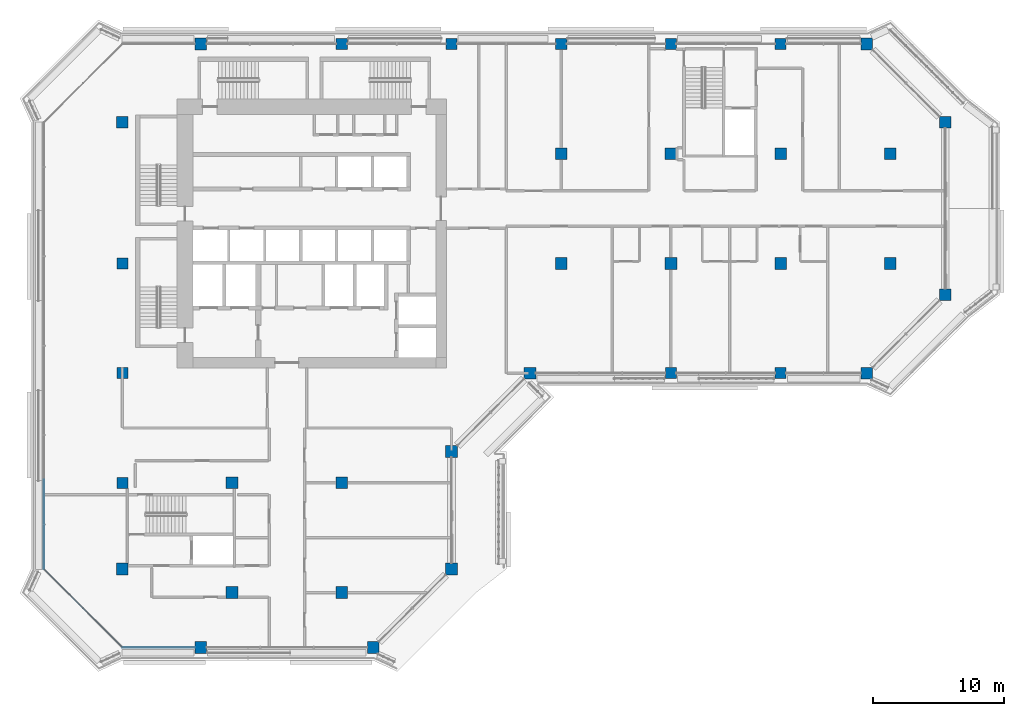
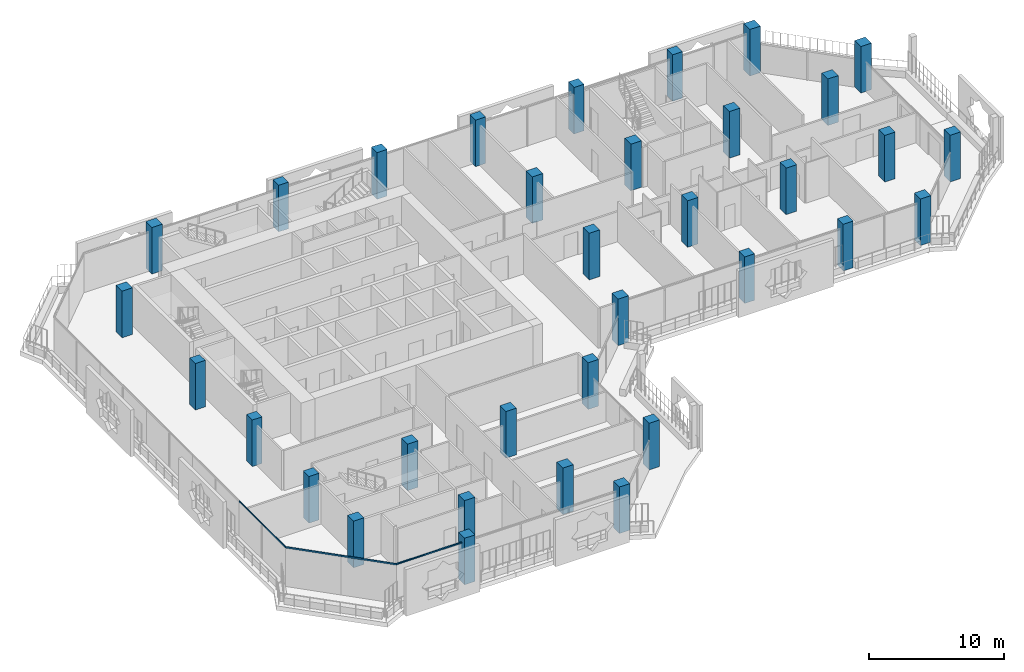
# One storey, part 1 of 22: 34 columns, 4 members, 3 elements without a shape of their own.
"""IFC4 building model written with IfcOpenShell, lengths in metres."""

from ifc_helpers import new_model, si_unit, direction, frame, origin, origin_2d, place, context, subcontext, project, spatial, rectangle, extrude, material, layer, layer_set, material_profile, profile_set, type_object, element, aggregate, save


model = new_model("IFC4")

# Units and contexts
model_context = context("Model", 3, precision=1e-05, world=origin(), true_north=direction((0.0, 1.0)))
body_context = subcontext(model_context, "Body", "Model", "MODEL_VIEW")
ifc_project = project(units=[si_unit("LENGTHUNIT", "METRE"), si_unit("AREAUNIT", "SQUARE_METRE"), si_unit("VOLUMEUNIT", "CUBIC_METRE"), si_unit("PLANEANGLEUNIT", "RADIAN"), si_unit("MASSUNIT", "GRAM", prefix="KILO")], contexts=[model_context])

# Site, building, storey
site_placement = place(None, origin())
site = spatial("IfcSite", under=ifc_project, at=site_placement, CompositionType="ELEMENT")
building_placement = place(site_placement, origin())
building = spatial("IfcBuilding", under=site, at=building_placement, Name="Kawkab Arch Medical Tower", CompositionType="ELEMENT")
storey_placement = place(building_placement, frame((0.0, 0.0, 255.800048828125)))
storey = spatial("IfcBuildingStorey", under=building, at=storey_placement, Name="L59", CompositionType="ELEMENT", Elevation=255.800048828125)

# Columns
ifc_material_1 = material(Name="Concrete C45/55", Category="concrete")
ifc_material_profile_1 = material_profile(ifc_material_1, rectangle(XDim=0.85009765625, YDim=0.85009765625, at=origin_2d()), Name="RC 850x850")
ifc_profile_set_1 = profile_set([ifc_material_profile_1], Name="Concrete C45/55")
column_type_1 = type_object("IfcColumnType", Name="RC 850x850 column C45/55", PredefinedType="COLUMN", material=ifc_profile_set_1)
for number, where, z_axis, x_axis, name in (
    (1, (16.800048828125, 0.0, 0.0), (0.0, 0.0, 1.0), (1.0, 0.0, 0.0), "Column RC 850x850"),
    (2, (25.199951171875, 0.0, 0.0), (0.0, 0.0, 1.0), (1.0, 0.0, 0.0), "Column RC 850x850"),
    (3, (33.60009765625, 0.0, 0.0), (0.0, 0.0, 1.0), (1.0, 0.0, 0.0), "Column RC 850x850"),
    (4, (42.0, 0.0, 0.0), (0.0, 0.0, 1.0), (1.0, 0.0, 0.0), "Column RC 850x850"),
    (5, (50.39990234375, 0.0, 0.0), (0.0, 0.0, 1.0), (1.0, 0.0, 0.0), "Column RC 850x850"),
    (6, (0.0, -16.800048828125, 0.0), (0.0, 0.0, 1.0), (1.0, 0.0, 0.0), "Column RC 850x850"),
    (7, (0.0, -25.199951171875, 0.0), (0.0, 0.0, 1.0), (1.0, 0.0, 0.0), "Column RC 850x850"),
    (8, (42.0, -25.199951171875, 0.0), (0.0, 0.0, 1.0), (1.0, 0.0, 0.0), "Column RC 850x850"),
    (9, (50.39990234375, -25.199951171875, 0.0), (0.0, 0.0, 1.0), (1.0, 0.0, 0.0), "Column RC 850x850"),
    (10, (0.0, -33.60009765625, 0.0), (0.0, 0.0, 1.0), (1.0, 0.0, 0.0), "Column RC 850x850"),
):
    element("IfcColumn", number, at=place(storey_placement, frame(where, z_axis=z_axis, x_axis=x_axis)), inside=storey, type_object=column_type_1, Name=name, PredefinedType="COLUMN", context=body_context, shape_type="SweptSolid", body=[
        extrude(rectangle(XDim=0.85009765625, YDim=0.85009765625, at=origin_2d()), origin(), (0.0, 0.0, 1.0), 4.199951171875),
    ])
ifc_material_2 = material(Name="Concrete C45/55", Category="concrete")
ifc_material_profile_2 = material_profile(ifc_material_2, rectangle(XDim=0.89990234375, YDim=0.89990234375, at=origin_2d()), Name="RC 900x900")
ifc_profile_set_2 = profile_set([ifc_material_profile_2], Name="Concrete C45/55")
column_type_2 = type_object("IfcColumnType", Name="RC 900x900 column C45/55", PredefinedType="COLUMN", material=ifc_profile_set_2)
for number, where, z_axis, x_axis, name in (
    (11, (6.0, 0.0, 0.0), (0.0, 0.0, 1.0), (1.0, 0.0, 0.0), "Column RC 900x900"),
    (12, (57.0, 0.0, 0.0), (0.0, 0.0, 1.0), (1.0, 0.0, 0.0), "Column RC 900x900"),
    (13, (0.0, -6.0, 0.0), (0.0, 0.0, 1.0), (1.0, 0.0, 0.0), "Column RC 900x900"),
    (14, (63.0, -6.0, 0.0), (0.0, 0.0, 1.0), (1.0, 0.0, 0.0), "Column RC 900x900"),
    (15, (33.60009765625, -8.39990234375, 0.0), (0.0, 0.0, 1.0), (1.0, 0.0, 0.0), "Column RC 900x900"),
    (16, (42.0, -8.39990234375, 0.0), (0.0, 0.0, 1.0), (1.0, 0.0, 0.0), "Column RC 900x900"),
    (17, (50.39990234375, -8.39990234375, 0.0), (0.0, 0.0, 1.0), (1.0, 0.0, 0.0), "Column RC 900x900"),
    (18, (58.800048828125, -8.39990234375, 0.0), (0.0, 0.0, 1.0), (1.0, 0.0, 0.0), "Column RC 900x900"),
    (19, (33.60009765625, -16.800048828125, 0.0), (0.0, 0.0, 1.0), (1.0, 0.0, 0.0), "Column RC 900x900"),
    (20, (42.0, -16.800048828125, 0.0), (0.0, 0.0, 1.0), (1.0, 0.0, 0.0), "Column RC 900x900"),
    (21, (50.39990234375, -16.800048828125, 0.0), (0.0, 0.0, 1.0), (1.0, 0.0, 0.0), "Column RC 900x900"),
    (22, (58.800048828125, -16.800048828125, 0.0), (0.0, 0.0, 1.0), (1.0, 0.0, 0.0), "Column RC 900x900"),
    (23, (63.0, -19.199951171875, 0.0), (0.0, 0.0, 1.0), (1.0, 0.0, 0.0), "Column RC 900x900"),
    (24, (31.199951171875, -25.199951171875, 0.0), (0.0, 0.0, 1.0), (1.0, 0.0, 0.0), "Column RC 900x900"),
    (25, (57.0, -25.199951171875, 0.0), (0.0, 0.0, 1.0), (1.0, 0.0, 0.0), "Column RC 900x900"),
    (26, (25.199951171875, -31.199951171875, 0.0), (0.0, 0.0, 1.0), (1.0, 0.0, 0.0), "Column RC 900x900"),
    (27, (8.39990234375, -33.60009765625, 0.0), (0.0, 0.0, 1.0), (1.0, 0.0, 0.0), "Column RC 900x900"),
    (28, (16.800048828125, -33.60009765625, 0.0), (0.0, 0.0, 1.0), (1.0, 0.0, 0.0), "Column RC 900x900"),
    (29, (0.0, -40.199951171875, 0.0), (0.0, 0.0, 1.0), (1.0, 0.0, 0.0), "Column RC 900x900"),
    (30, (25.199951171875, -40.199951171875, 0.0), (0.0, 0.0, 1.0), (1.0, 0.0, 0.0), "Column RC 900x900"),
    (31, (8.39990234375, -42.0, 0.0), (0.0, 0.0, 1.0), (1.0, 0.0, 0.0), "Column RC 900x900"),
    (32, (16.800048828125, -42.0, 0.0), (0.0, 0.0, 1.0), (1.0, 0.0, 0.0), "Column RC 900x900"),
    (33, (6.0, -46.199951171875, 0.0), (0.0, 0.0, 1.0), (1.0, 0.0, 0.0), "Column RC 900x900"),
    (34, (19.199951171875, -46.199951171875, 0.0), (0.0, 0.0, 1.0), (1.0, 0.0, 0.0), "Column RC 900x900"),
):
    element("IfcColumn", number, at=place(storey_placement, frame(where, z_axis=z_axis, x_axis=x_axis)), inside=storey, type_object=column_type_2, Name=name, PredefinedType="COLUMN", context=body_context, shape_type="SweptSolid", body=[
        extrude(rectangle(XDim=0.89990234375, YDim=0.89990234375, at=origin_2d()), origin(), (0.0, 0.0, 1.0), 4.199951171875),
    ])

# Curtain wall, member
ifc_material_3 = material(Name="Bronze anodised aluminium curtain wall frame", Category="aluminium")
ifc_layer_1 = layer(ifc_material_3, 0.159912109375)
ifc_layer_set_1 = layer_set([ifc_layer_1], Name="Bronze anodised aluminium curtain wall frame")
curtain_wall_type_1 = type_object("IfcCurtainWallType", Name="CW1 ward curtain wall", PredefinedType="NOTDEFINED", material=ifc_layer_set_1)
placement = place(storey_placement, origin())
curtain_wall_1 = element("IfcCurtainWall", 35, at=placement, inside=storey, type_object=curtain_wall_type_1, Name="CW1 Ward curtain wall R01", PredefinedType="NOTDEFINED")
ifc_material_4 = material(Name="Bronze anodised aluminium curtain wall frame", Category="aluminium")
ifc_material_profile_3 = material_profile(ifc_material_4, rectangle(XDim=0.06005859375, YDim=0.1201171875, at=origin_2d()), Name="AL 60x120")
ifc_profile_set_3 = profile_set([ifc_material_profile_3], Name="Bronze anodised aluminium curtain wall frame")
member_type_1 = type_object("IfcMemberType", Name="CW1 transom 120 x 60", PredefinedType="USERDEFINED", material=ifc_profile_set_3)
member_1_placement = place(storey_placement, frame((-6.0, -33.360107421875, 3.5400390625), z_axis=(0.0, -1.0, 0.0), x_axis=(1.0, 0.0, 0.0)))
member_1 = element("IfcMember", 36, at=member_1_placement, type_object=member_type_1, Name="CW1 transom 5", ObjectType="TRANSOM", PredefinedType="USERDEFINED", context=body_context, shape_type="SweptSolid", body=[
    extrude(rectangle(XDim=0.06005859375, YDim=0.1201171875, at=origin_2d()), origin(), (0.0, 0.0, 1.0), 6.83984375),
])
aggregate(curtain_wall_1, [member_1])

curtain_wall_2 = element("IfcCurtainWall", 37, at=placement, inside=storey, type_object=curtain_wall_type_1, Name="CW1 Ward curtain wall R03", PredefinedType="NOTDEFINED")
member_2_placement = place(storey_placement, frame((0.0, -46.199951171875, 3.5400390625), z_axis=(1.0, 0.0, 0.0), x_axis=(0.0, 1.0, 0.0)))
member_2 = element("IfcMember", 38, at=member_2_placement, type_object=member_type_1, Name="CW1 transom 1", ObjectType="TRANSOM", PredefinedType="USERDEFINED", context=body_context, shape_type="SweptSolid", body=[
    extrude(rectangle(XDim=0.06005859375, YDim=0.1201171875, at=origin_2d()), origin(), (0.0, 0.0, 1.0), 5.550048828125),
])
aggregate(curtain_wall_2, [member_2])

# Curtain wall, members
ifc_material_5 = material(Name="Bronze anodised aluminium curtain wall frame", Category="aluminium")
ifc_layer_2 = layer(ifc_material_5, 0.159912109375)
ifc_layer_set_2 = layer_set([ifc_layer_2], Name="Bronze anodised aluminium curtain wall frame")
curtain_wall_type_2 = type_object("IfcCurtainWallType", Name="CW2 chamfer curtain wall", PredefinedType="NOTDEFINED", material=ifc_layer_set_2)
curtain_wall_3 = element("IfcCurtainWall", 39, at=placement, inside=storey, type_object=curtain_wall_type_2, Name="CW2 Chamfer curtain wall R02", PredefinedType="NOTDEFINED")
ifc_material_6 = material(Name="Bronze anodised aluminium curtain wall frame", Category="aluminium")
ifc_material_profile_4 = material_profile(ifc_material_6, rectangle(XDim=0.06005859375, YDim=0.139892578125, at=origin_2d()), Name="AL 60x140")
ifc_profile_set_4 = profile_set([ifc_material_profile_4], Name="Bronze anodised aluminium curtain wall frame")
member_type_2 = type_object("IfcMemberType", Name="CW2 transom 140 x 60", PredefinedType="USERDEFINED", material=ifc_profile_set_4)
member_3_placement = place(storey_placement, frame((-6.0, -40.199951171875, 3.530029296875), z_axis=(0.707106781187, -0.707106781187, 0.0), x_axis=(0.707106781187, 0.707106781187, 0.0)))
member_3 = element("IfcMember", 40, at=member_3_placement, type_object=member_type_2, Name="CW2 transom 1", ObjectType="TRANSOM", PredefinedType="USERDEFINED", context=body_context, shape_type="SweptSolid", body=[
    extrude(rectangle(XDim=0.06005859375, YDim=0.139892578125, at=origin_2d()), origin(), (0.0, 0.0, 1.0), 4.24267578125),
])
member_4_placement = place(storey_placement, frame((-3.0, -43.199951171875, 3.530029296875), z_axis=(0.707106781187, -0.707106781187, 0.0), x_axis=(0.707106781187, 0.707106781187, 0.0)))
member_4 = element("IfcMember", 41, at=member_4_placement, type_object=member_type_2, Name="CW2 transom 2", ObjectType="TRANSOM", PredefinedType="USERDEFINED", context=body_context, shape_type="SweptSolid", body=[
    extrude(rectangle(XDim=0.06005859375, YDim=0.139892578125, at=origin_2d()), origin(), (0.0, 0.0, 1.0), 4.24267578125),
])
aggregate(curtain_wall_3, [member_3, member_4])

save(model, "model.ifc")
